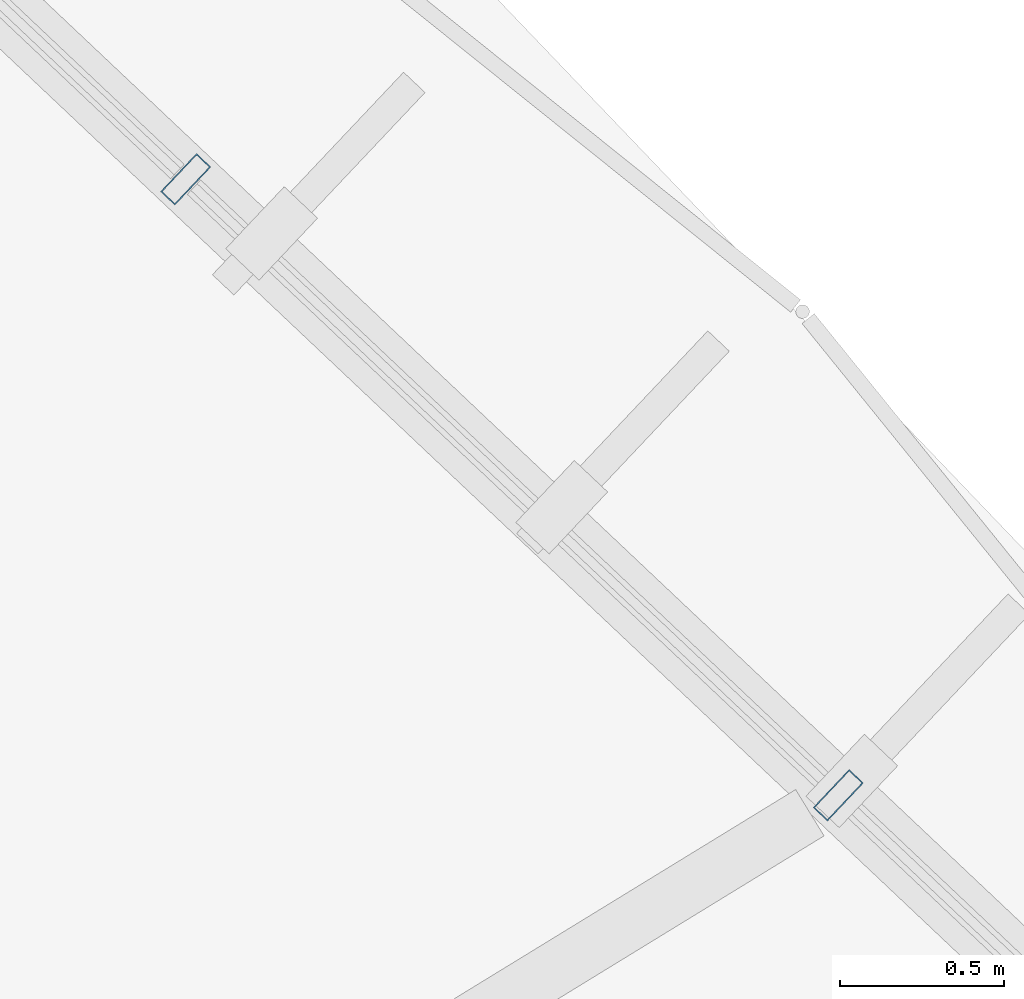
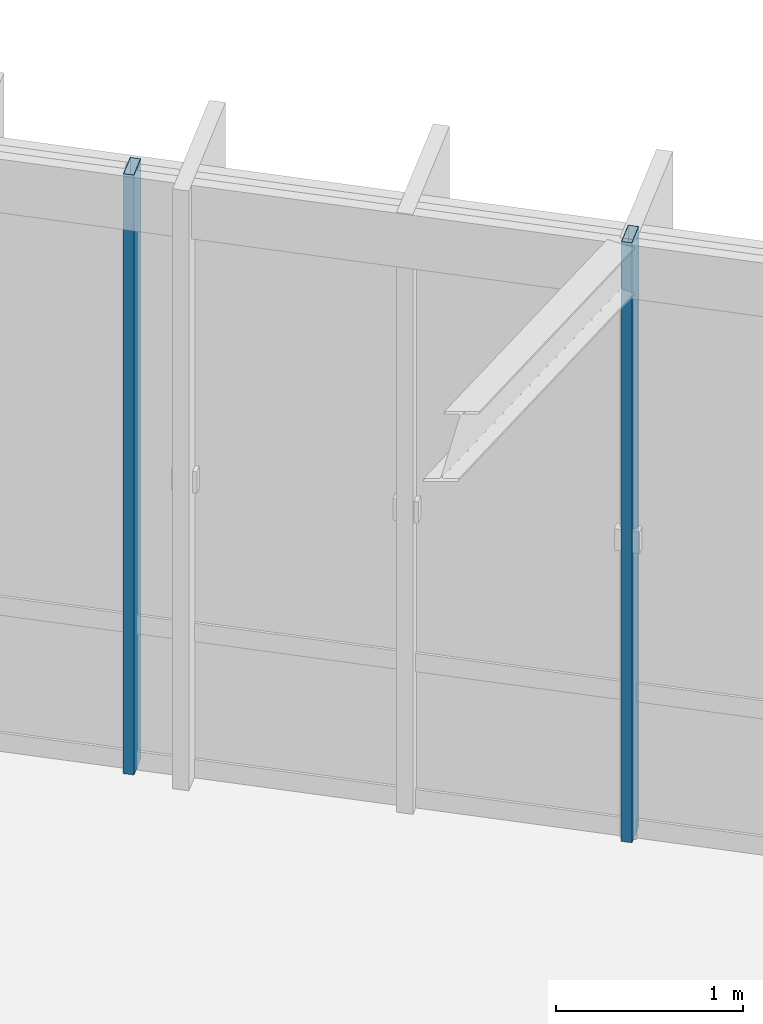
# One storey, part 56 of 78: 2 members, 1 element without a shape of its own.
"""IFC4 building model written with IfcOpenShell, lengths in metres."""

from ifc_helpers import new_model, si_unit, direction, frame, origin, origin_2d, place, context, subcontext, project, spatial, hollow_rectangle, extrude, material, material_profile, profile_set, type_object, element, aggregate, save


model = new_model("IFC4")

# Units and contexts
model_context = context("Model", 3, precision=1e-05, world=origin(), true_north=direction((0.0, 1.0)))
body_context = subcontext(model_context, "Body", "Model", "MODEL_VIEW")
ifc_project = project(units=[si_unit("LENGTHUNIT", "METRE"), si_unit("AREAUNIT", "SQUARE_METRE"), si_unit("VOLUMEUNIT", "CUBIC_METRE"), si_unit("PLANEANGLEUNIT", "RADIAN"), si_unit("MASSUNIT", "GRAM", prefix="KILO"), si_unit("THERMODYNAMICTEMPERATUREUNIT", "KELVIN"), si_unit("POWERUNIT", "WATT")], contexts=[model_context])

# Site, building, storey
site_placement = place(None, origin())
site = spatial("IfcSite", under=ifc_project, at=site_placement, CompositionType="ELEMENT")
building_placement = place(site_placement, origin())
building = spatial("IfcBuilding", under=site, at=building_placement, Name="Darbajah Civic Hall", CompositionType="ELEMENT")
storey_placement = place(building_placement, frame((0.0, 0.0, 26.39990234375)))
storey = spatial("IfcBuildingStorey", under=building, at=storey_placement, Name="L06", CompositionType="ELEMENT", Elevation=26.39990234375)

# Curtain wall, members
ifc_material_1 = material(Name="Anodised Bronze Aluminium and Low-E Glazing", Category="aluminium")
curtain_wall_type = type_object("IfcCurtainWallType", Name="Unitised Curtain Wall CW-86 11000x3900", PredefinedType="USERDEFINED", material=ifc_material_1)
curtain_wall_placement = place(storey_placement, origin())
curtain_wall = element("IfcCurtainWall", 1, at=curtain_wall_placement, inside=storey, type_object=curtain_wall_type, Name="L06 unitised curtain wall CW-V1O-L06-01", ObjectType="UNITISED CURTAIN WALL", PredefinedType="USERDEFINED")
ifc_material_2 = material(Name="Anodised Bronze Aluminium", Category="aluminium")
ifc_material_profile = material_profile(ifc_material_2, hollow_rectangle(XDim=0.06005859375, YDim=0.159912109375, WallThickness=0.00341796875, at=origin_2d()), Name="ALU MULLION 60x160")
ifc_profile_set = profile_set([ifc_material_profile], Name="Anodised Bronze Aluminium")
member_type = type_object("IfcMemberType", Name="ALU MULLION 60x160", PredefinedType="MULLION", material=ifc_profile_set)
member_1_placement = place(storey_placement, frame((132.04931640625, 105.02392578125, 0.0), z_axis=(0.0, 0.0, 1.0), x_axis=(-0.727173991201, 0.686453193248, 0.0)))
member_1 = element("IfcMember", 2, at=member_1_placement, type_object=member_type, Name="CW-V1O-L06-01 mullion 3", PredefinedType="MULLION", context=body_context, shape_type="SweptSolid", body=[
    extrude(hollow_rectangle(XDim=0.06005859375, YDim=0.159912109375, WallThickness=0.00341796875, at=origin_2d()), origin(), (0.0, 0.0, 1.0), 3.920166015625),
])
member_2_placement = place(storey_placement, frame((130.056640625, 106.90478515625, 0.0), z_axis=(0.0, 0.0, 1.0), x_axis=(-0.727173991201, 0.686453193248, 0.0)))
member_2 = element("IfcMember", 3, at=member_2_placement, type_object=member_type, Name="CW-V1O-L06-01 mullion 4", PredefinedType="MULLION", context=body_context, shape_type="SweptSolid", body=[
    extrude(hollow_rectangle(XDim=0.06005859375, YDim=0.159912109375, WallThickness=0.00341796875, at=origin_2d()), origin(), (0.0, 0.0, 1.0), 3.920166015625),
])
aggregate(curtain_wall, [member_1, member_2])

save(model, "model.ifc")
